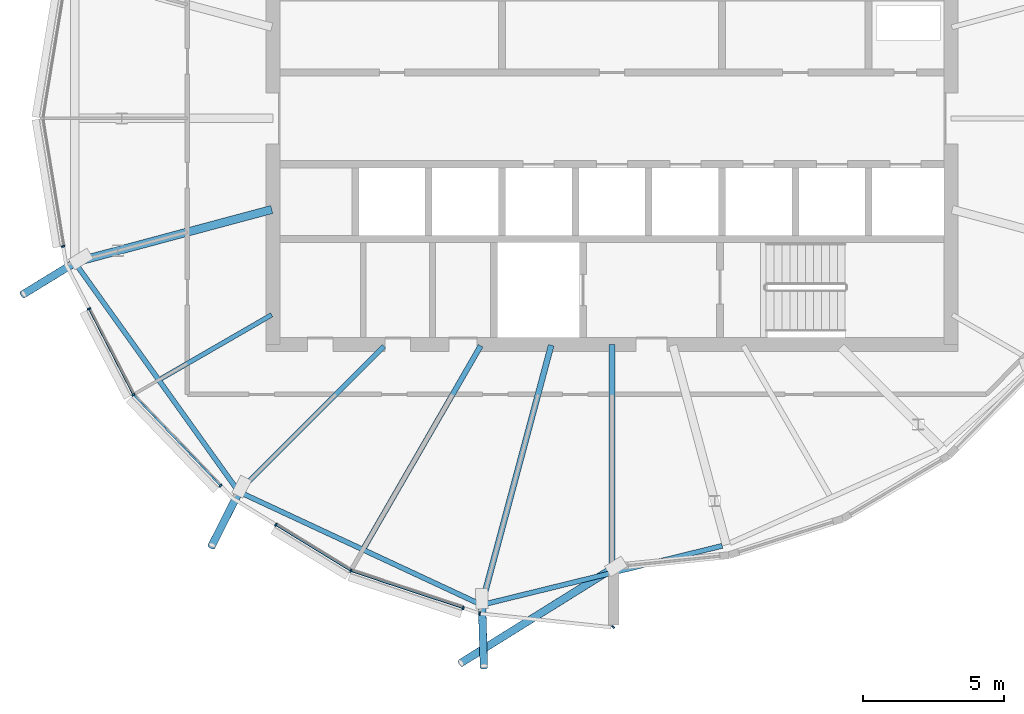
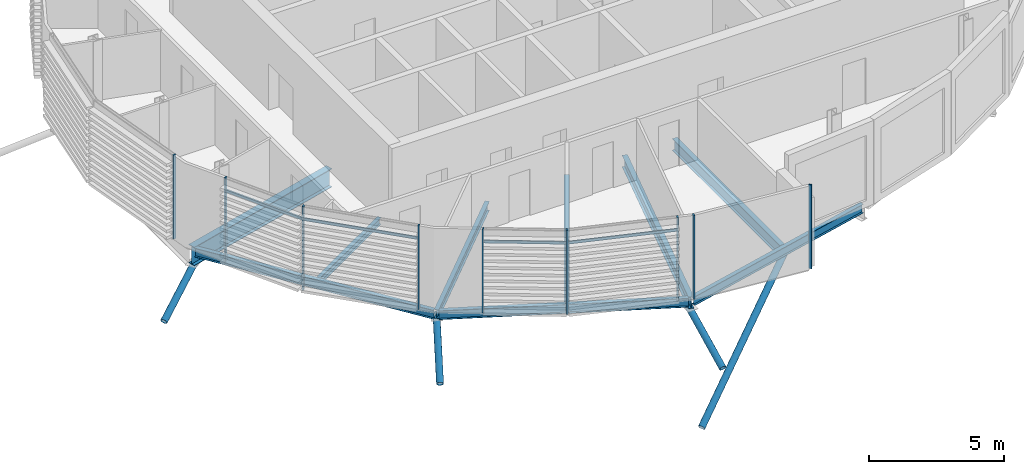
# One storey, part 3 of 36: 17 members, 9 beams, 1 element without a shape of its own.
"""IFC4 building model written with IfcOpenShell, lengths in metres."""

from ifc_helpers import new_model, si_unit, direction, frame, origin, origin_2d, place, context, subcontext, project, spatial, rectangle, hollow_circle, i_section, extrude, clip, halfspace, material, material_profile, profile_set, type_object, element, aggregate, save


model = new_model("IFC4")

# Units and contexts
model_context = context("Model", 3, precision=1e-05, world=origin(), true_north=direction((0.0, 1.0)))
body_context = subcontext(model_context, "Body", "Model", "MODEL_VIEW")
ifc_project = project(units=[si_unit("LENGTHUNIT", "METRE"), si_unit("AREAUNIT", "SQUARE_METRE"), si_unit("VOLUMEUNIT", "CUBIC_METRE"), si_unit("PLANEANGLEUNIT", "RADIAN"), si_unit("MASSUNIT", "GRAM", prefix="KILO")], contexts=[model_context])

# Site, building, storey
site_placement = place(None, origin())
site = spatial("IfcSite", under=ifc_project, at=site_placement, CompositionType="ELEMENT")
building_placement = place(site_placement, origin())
building = spatial("IfcBuilding", under=site, at=building_placement, Name="Rimbun Link Towers", CompositionType="ELEMENT")
storey_placement = place(building_placement, frame((0.0, 0.0, 248.5)))
storey = spatial("IfcBuildingStorey", under=building, at=storey_placement, Name="L61", CompositionType="ELEMENT", Elevation=248.5)

# Curtain wall, members
ifc_material_1 = material(Name="Aluminium 6063-T6 and low-iron glass", Category="aluminium")
curtain_wall_type = type_object("IfcCurtainWallType", Name="CW1-Z4 unitised vision wall (zone 4)", PredefinedType="NOTDEFINED", material=ifc_material_1)
curtain_wall_placement = place(storey_placement, origin())
curtain_wall = element("IfcCurtainWall", 1, at=curtain_wall_placement, inside=storey, type_object=curtain_wall_type, Name="CW1 L61 T1", PredefinedType="NOTDEFINED")
ifc_material_2 = material(Name="Aluminium 6063-T6", Category="aluminium")
ifc_material_profile_1 = material_profile(ifc_material_2, rectangle(XDim=0.1201171875, YDim=0.06005859375, at=origin_2d()), Name="MULLION 60X120")
ifc_profile_set_1 = profile_set([ifc_material_profile_1], Name="Aluminium 6063-T6")
member_type_1 = type_object("IfcMemberType", Name="CW1 mullion 60X120", PredefinedType="MULLION", material=ifc_profile_set_1)
member_1_placement = place(storey_placement, frame((-51.173828125, -4.52880859375, 0.0), z_axis=(0.0, 0.0, 1.0), x_axis=(-0.986747677327, -0.162262199201, 0.0)))
member_1 = element("IfcMember", 2, at=member_1_placement, type_object=member_type_1, Name="CW1 mullion", PredefinedType="MULLION", context=body_context, shape_type="SweptSolid", body=[
    extrude(rectangle(XDim=0.1201171875, YDim=0.06005859375, at=origin_2d()), origin(), (0.0, 0.0, 1.0), 3.800048828125),
])
member_2_placement = place(storey_placement, frame((-48.683837890625, -9.783447265625, 0.0), z_axis=(0.0, 0.0, 1.0), x_axis=(-0.813354276071, -0.581768701115, 0.0)))
member_2 = element("IfcMember", 3, at=member_2_placement, type_object=member_type_1, Name="CW1 mullion", PredefinedType="MULLION", context=body_context, shape_type="SweptSolid", body=[
    extrude(rectangle(XDim=0.1201171875, YDim=0.06005859375, at=origin_2d()), origin(), (0.0, 0.0, 1.0), 3.800048828125),
])
member_3_placement = place(storey_placement, frame((-50.258056640625, -6.742431640625, 0.0), z_axis=(0.0, 0.0, 1.0), x_axis=(-0.888150898734, -0.459551935126, 0.0)))
member_3 = element("IfcMember", 4, at=member_3_placement, type_object=member_type_1, Name="CW1 mullion", PredefinedType="MULLION", context=body_context, shape_type="SweptSolid", body=[
    extrude(rectangle(XDim=0.1201171875, YDim=0.06005859375, at=origin_2d()), origin(), (0.0, 0.0, 1.0), 3.800048828125),
])
member_4_placement = place(storey_placement, frame((-45.6005859375, -13.00048828125, 0.0), z_axis=(0.0, 0.0, 1.0), x_axis=(-0.721858292347, -0.692040898915, 0.0)))
member_4 = element("IfcMember", 5, at=member_4_placement, type_object=member_type_1, Name="CW1 mullion", PredefinedType="MULLION", context=body_context, shape_type="SweptSolid", body=[
    extrude(rectangle(XDim=0.1201171875, YDim=0.06005859375, at=origin_2d()), origin(), (0.0, 0.0, 1.0), 3.800048828125),
])
member_5_placement = place(storey_placement, frame((-40.988525390625, -16.01220703125, 0.0), z_axis=(0.0, 0.0, 1.0), x_axis=(-0.421699968812, -0.906735427953, 0.0)))
member_5 = element("IfcMember", 6, at=member_5_placement, type_object=member_type_1, Name="CW1 mullion", PredefinedType="MULLION", context=body_context, shape_type="SweptSolid", body=[
    extrude(rectangle(XDim=0.1201171875, YDim=0.06005859375, at=origin_2d()), origin(), (0.0, 0.0, 1.0), 3.800048828125),
])
member_6_placement = place(storey_placement, frame((-43.6396484375, -14.385009765625, 0.0), z_axis=(0.0, 0.0, 1.0), x_axis=(-0.523228997113, -0.852192124219, 0.0)))
member_6 = element("IfcMember", 7, at=member_6_placement, type_object=member_type_1, Name="CW1 mullion", PredefinedType="MULLION", context=body_context, shape_type="SweptSolid", body=[
    extrude(rectangle(XDim=0.1201171875, YDim=0.06005859375, at=origin_2d()), origin(), (0.0, 0.0, 1.0), 3.800048828125),
])
member_7_placement = place(storey_placement, frame((-37.016845703125, -17.328857421875, 0.0), z_axis=(0.0, 0.0, 1.0), x_axis=(-0.314569451089, -0.949234460205, 0.0)))
member_7 = element("IfcMember", 8, at=member_7_placement, type_object=member_type_1, Name="CW1 mullion", PredefinedType="MULLION", context=body_context, shape_type="SweptSolid", body=[
    extrude(rectangle(XDim=0.1201171875, YDim=0.06005859375, at=origin_2d()), origin(), (0.0, 0.0, 1.0), 3.800048828125),
])
member_8_placement = place(storey_placement, frame((-31.7099609375, -17.997802734375, 0.0), z_axis=(0.0, 0.0, 1.0), x_axis=(0.669054420529, -0.743213416436, 0.0)))
member_8 = element("IfcMember", 9, at=member_8_placement, type_object=member_type_1, Name="CW1 mullion", PredefinedType="MULLION", context=body_context, shape_type="SweptSolid", body=[
    extrude(rectangle(XDim=0.1201171875, YDim=0.06005859375, at=origin_2d()), origin(), (0.0, 0.0, 1.0), 3.800048828125),
])
member_9_placement = place(storey_placement, frame((-36.434814453125, -17.520263671875, 0.0), z_axis=(0.0, 0.0, 1.0), x_axis=(-0.10473236474, -0.994500443326, 0.0)))
member_9 = element("IfcMember", 10, at=member_9_placement, type_object=member_type_1, Name="CW1 mullion", PredefinedType="MULLION", context=body_context, shape_type="SweptSolid", body=[
    extrude(rectangle(XDim=0.1201171875, YDim=0.06005859375, at=origin_2d()), origin(), (0.0, 0.0, 1.0), 3.800048828125),
])
ifc_material_3 = material(Name="Aluminium 6063-T6", Category="aluminium")
ifc_material_profile_2 = material_profile(ifc_material_3, rectangle(XDim=0.06005859375, YDim=0.1201171875, at=origin_2d()), Name="TRANSOM 60X120")
ifc_profile_set_2 = profile_set([ifc_material_profile_2], Name="Aluminium 6063-T6")
member_type_2 = type_object("IfcMemberType", Name="CW1 transom 60X120", PredefinedType="USERDEFINED", material=ifc_profile_set_2)
member_10_placement = place(storey_placement, frame((-48.700439453125, -9.74853515625, 3.199951171875), z_axis=(-0.459567390883, 0.888142901361, 0.0), x_axis=(-0.888142901361, -0.459567390883, 0.0)))
member_10 = element("IfcMember", 11, at=member_10_placement, type_object=member_type_2, Name="CW1 transom", ObjectType="TRANSOM", PredefinedType="USERDEFINED", context=body_context, shape_type="SweptSolid", body=[
    extrude(rectangle(XDim=0.06005859375, YDim=0.1201171875, at=origin_2d()), origin(), (0.0, 0.0, 1.0), 3.35595703125),
])
member_11_placement = place(storey_placement, frame((-45.619873046875, -12.9775390625, 3.199951171875), z_axis=(-0.692037083084, 0.721861950539, 0.0), x_axis=(-0.721861950539, -0.692037083084, 0.0)))
member_11 = element("IfcMember", 12, at=member_11_placement, type_object=member_type_2, Name="CW1 transom", ObjectType="TRANSOM", PredefinedType="USERDEFINED", context=body_context, shape_type="SweptSolid", body=[
    extrude(rectangle(XDim=0.06005859375, YDim=0.1201171875, at=origin_2d()), origin(), (0.0, 0.0, 1.0), 4.3876953125),
])
member_12_placement = place(storey_placement, frame((-41.019287109375, -15.991455078125, 3.199951171875), z_axis=(-0.852189422972, 0.523233396654, 0.0), x_axis=(-0.523233396654, -0.852189422972, 0.0)))
member_12 = element("IfcMember", 13, at=member_12_placement, type_object=member_type_2, Name="CW1 transom", ObjectType="TRANSOM", PredefinedType="USERDEFINED", context=body_context, shape_type="SweptSolid", body=[
    extrude(rectangle(XDim=0.06005859375, YDim=0.1201171875, at=origin_2d()), origin(), (0.0, 0.0, 1.0), 3.043701171875),
])
member_13_placement = place(storey_placement, frame((-37.044677734375, -17.3173828125, 3.199951171875), z_axis=(-0.949239188988, 0.314555181309, 0.0), x_axis=(-0.314555181309, -0.949239188988, 0.0)))
member_13 = element("IfcMember", 14, at=member_13_placement, type_object=member_type_2, Name="CW1 transom", ObjectType="TRANSOM", PredefinedType="USERDEFINED", context=body_context, shape_type="SweptSolid", body=[
    extrude(rectangle(XDim=0.06005859375, YDim=0.1201171875, at=origin_2d()), origin(), (0.0, 0.0, 1.0), 4.117431640625),
])
aggregate(curtain_wall, [member_1, member_2, member_3, member_4, member_5, member_6, member_7, member_8, member_9, member_10, member_11, member_12, member_13])

# Members
ifc_material_4 = material(Name="Steel S355J2H", Category="steel")
ifc_material_profile_3 = material_profile(ifc_material_4, hollow_circle(Radius=0.136474609375, WallThickness=0.012451171875, at=origin_2d()), Name="CHS 273x12.5")
ifc_profile_set_3 = profile_set([ifc_material_profile_3], Name="Steel S355J2H")
member_type_3 = type_object("IfcMemberType", Name="Floor edge link CHS 273x12.5", PredefinedType="BRACE", material=ifc_profile_set_3)
member_14_placement = place(storey_placement, frame((-50.713623046875, -5.081298828125, -1.10205078125), z_axis=(-0.760825866437, -0.465695657322, -0.451964108875), x_axis=(0.522059191826, -0.852909256738, 0.0)))
element("IfcMember", 15, at=member_14_placement, inside=storey, type_object=member_type_3, Name="Floor edge link T1 L61 13", PredefinedType="BRACE", context=body_context, shape_type="Clipping", body=[
    clip(extrude(hollow_circle(Radius=0.136474609375, WallThickness=0.012451171875, at=origin_2d()), frame((0.0, 0.0, -0.560791015625)), (0.0, 0.0, 1.0), 3.050048828125), halfspace(frame((0.0, 0.0, -0.26416015625), z_axis=(0.0, 0.892036122749, -0.451964108875)), False)),
])
member_15_placement = place(storey_placement, frame((-44.925048828125, -13.175048828125, -0.6630859375), z_axis=(-0.387876907246, -0.76562623297, -0.513193897288), x_axis=(0.89205474546, -0.451927351576, 0.0)))
element("IfcMember", 16, at=member_15_placement, inside=storey, type_object=member_type_3, Name="Floor edge link T1 L61 15", PredefinedType="BRACE", context=body_context, shape_type="Clipping", body=[
    clip(extrude(hollow_circle(Radius=0.136474609375, WallThickness=0.012451171875, at=origin_2d()), frame((0.0, 0.0, -0.47607421875)), (0.0, 0.0, 1.0), 3.055419921875), halfspace(frame((0.0, 0.0, -0.223388671875), z_axis=(0.0, 0.858272697798, -0.513193897288)), False)),
])
member_16_placement = place(storey_placement, frame((-36.35009765625, -17.167724609375, -0.791748046875), z_axis=(0.025823992191, -0.871606860514, -0.489524873865), x_axis=(0.99956137874, 0.029615032199, 0.0)))
element("IfcMember", 17, at=member_16_placement, inside=storey, type_object=member_type_3, Name="Floor edge link T1 L61 17", PredefinedType="BRACE", context=body_context, shape_type="Clipping", body=[
    clip(extrude(hollow_circle(Radius=0.136474609375, WallThickness=0.012451171875, at=origin_2d()), frame((0.0, 0.0, -0.506591796875)), (0.0, 0.0, 1.0), 3.09716796875), halfspace(frame((0.0, 0.0, -0.23828125), z_axis=(0.0, 0.871989333574, -0.489524873865)), False)),
])
member_17_placement = place(storey_placement, frame((-31.75, -15.94091796875, -0.79150390625), z_axis=(-0.72931843564, -0.454107069188, -0.51174347983), x_axis=(0.52856108446, -0.848895270333, 0.0)))
element("IfcMember", 18, at=member_17_placement, inside=storey, type_object=member_type_3, Name="Floor edge link T1 L61 18", PredefinedType="BRACE", context=body_context, shape_type="Clipping", body=[
    clip(extrude(hollow_circle(Radius=0.136474609375, WallThickness=0.012451171875, at=origin_2d()), frame((0.0, 0.0, -0.477783203125)), (0.0, 0.0, 1.0), 7.818603515625), halfspace(frame((0.0, 0.0, -0.2275390625), z_axis=(0.0, 0.859138295533, -0.51174347983)), False)),
])

# Beams
ifc_material_5 = material(Name="Steel S355J2", Category="steel")
ifc_material_profile_4 = material_profile(ifc_material_5, i_section(OverallWidth=0.1650390625, OverallDepth=0.303466796875, WebThickness=0.006103515625, FlangeThickness=0.01025390625, at=origin_2d()), Name="UB 305x165x40")
ifc_profile_set_4 = profile_set([ifc_material_profile_4], Name="Steel S355J2")
beam_type_1 = type_object("IfcBeamType", Name="UB 305x165x40", PredefinedType="BEAM", material=ifc_profile_set_4)
beam_1_placement = place(storey_placement, frame((-43.7919921875, -6.952392578125, -0.291748046875), z_axis=(-0.866024614991, -0.500001366228, 0.0), x_axis=(0.500001366228, -0.866024614991, 0.0)))
element("IfcBeam", 19, at=beam_1_placement, inside=storey, type_object=beam_type_1, Name="Radial beam T1 L61 14", PredefinedType="BEAM", context=body_context, shape_type="SweptSolid", body=[
    extrude(i_section(OverallWidth=0.1650390625, OverallDepth=0.303466796875, WebThickness=0.006103515625, FlangeThickness=0.01025390625, at=origin_2d()), origin(), (0.0, 0.0, 1.0), 4.52099609375),
])
ifc_material_6 = material(Name="Steel S355J2", Category="steel")
ifc_material_profile_5 = material_profile(ifc_material_6, i_section(OverallWidth=0.177978515625, OverallDepth=0.406494140625, WebThickness=0.0078125, FlangeThickness=0.0126953125, at=origin_2d()), Name="UB 406x178x60")
ifc_profile_set_5 = profile_set([ifc_material_profile_5], Name="Steel S355J2")
beam_type_2 = type_object("IfcBeamType", Name="UB 406x178x60", PredefinedType="BEAM", material=ifc_profile_set_5)
beam_2_placement = place(storey_placement, frame((-39.813720703125, -8.063720703125, -0.34326171875), z_axis=(-0.707106781187, -0.707106781187, 0.0), x_axis=(0.707106781187, -0.707106781187, 0.0)))
element("IfcBeam", 20, at=beam_2_placement, inside=storey, type_object=beam_type_2, Name="Radial beam T1 L61 15", PredefinedType="BEAM", context=body_context, shape_type="SweptSolid", body=[
    extrude(i_section(OverallWidth=0.177978515625, OverallDepth=0.406494140625, WebThickness=0.0078125, FlangeThickness=0.0126953125, at=origin_2d()), origin(), (0.0, 0.0, 1.0), 7.2783203125),
])
beam_3_placement = place(storey_placement, frame((-50.67041015625, -5.22216796875, -0.34326171875), z_axis=(0.581515919417, -0.813535024117, 0.0), x_axis=(0.813535024117, 0.581515919417, 0.0)))
element("IfcBeam", 21, at=beam_3_placement, inside=storey, type_object=beam_type_2, Name="Edge beam T1 L61 13-15", PredefinedType="BEAM", context=body_context, shape_type="SweptSolid", body=[
    extrude(i_section(OverallWidth=0.177978515625, OverallDepth=0.406494140625, WebThickness=0.0078125, FlangeThickness=0.0126953125, at=origin_2d()), origin(), (0.0, 0.0, 1.0), 9.72802734375),
])
beam_4_placement = place(storey_placement, frame((-44.87353515625, -13.250732421875, -0.34326171875), z_axis=(0.906432957626, -0.422349728696, 0.0), x_axis=(0.422349728696, 0.906432957626, 0.0)))
element("IfcBeam", 22, at=beam_4_placement, inside=storey, type_object=beam_type_2, Name="Edge beam T1 L61 15-17", PredefinedType="BEAM", context=body_context, shape_type="SweptSolid", body=[
    extrude(i_section(OverallWidth=0.177978515625, OverallDepth=0.406494140625, WebThickness=0.0078125, FlangeThickness=0.0126953125, at=origin_2d()), origin(), (0.0, 0.0, 1.0), 9.28173828125),
])
beam_5_placement = place(storey_placement, frame((-36.24609375, -17.1875, -0.34326171875), z_axis=(0.971158679858, 0.238434096843, 0.0), x_axis=(-0.238434096843, 0.971158679858, 0.0)))
element("IfcBeam", 23, at=beam_5_placement, inside=storey, type_object=beam_type_2, Name="Edge beam T1 L61 17-19", PredefinedType="BEAM", context=body_context, shape_type="SweptSolid", body=[
    extrude(i_section(OverallWidth=0.177978515625, OverallDepth=0.406494140625, WebThickness=0.0078125, FlangeThickness=0.0126953125, at=origin_2d()), origin(), (0.0, 0.0, 1.0), 8.64599609375),
])
ifc_material_7 = material(Name="Steel S355J2", Category="steel")
ifc_material_profile_6 = material_profile(ifc_material_7, i_section(OverallWidth=0.18994140625, OverallDepth=0.453369140625, WebThickness=0.008544921875, FlangeThickness=0.0126953125, at=origin_2d()), Name="UB 457x191x67")
ifc_profile_set_6 = profile_set([ifc_material_profile_6], Name="Steel S355J2")
beam_type_3 = type_object("IfcBeamType", Name="UB 457x191x67", PredefinedType="BEAM", material=ifc_profile_set_6)
beam_6_placement = place(storey_placement, frame((-36.396728515625, -8.04833984375, -0.36669921875), z_axis=(-0.499996112969, -0.866027647951, 0.0), x_axis=(0.866027647951, -0.499996112969, 0.0)))
element("IfcBeam", 24, at=beam_6_placement, inside=storey, type_object=beam_type_3, Name="Radial beam T1 L61 16", PredefinedType="BEAM", context=body_context, shape_type="SweptSolid", body=[
    extrude(i_section(OverallWidth=0.18994140625, OverallDepth=0.453369140625, WebThickness=0.008544921875, FlangeThickness=0.0126953125, at=origin_2d()), origin(), (0.0, 0.0, 1.0), 8.2373046875),
])
ifc_material_8 = material(Name="Steel S355J2", Category="steel")
ifc_material_profile_7 = material_profile(ifc_material_8, i_section(OverallWidth=0.209228515625, OverallDepth=0.533203125, WebThickness=0.010009765625, FlangeThickness=0.015625, at=origin_2d()), Name="UB 533x210x92")
ifc_profile_set_7 = profile_set([ifc_material_profile_7], Name="Steel S355J2")
beam_type_4 = type_object("IfcBeamType", Name="UB 533x210x92", PredefinedType="BEAM", material=ifc_profile_set_7)
beam_7_placement = place(storey_placement, frame((-33.901123046875, -8.028076171875, -0.406494140625), z_axis=(-0.258819047307, -0.965925825698, 0.0), x_axis=(0.965925825698, -0.258819047307, 0.0)))
element("IfcBeam", 25, at=beam_7_placement, inside=storey, type_object=beam_type_4, Name="Radial beam T1 L61 17", PredefinedType="BEAM", context=body_context, shape_type="SweptSolid", body=[
    extrude(i_section(OverallWidth=0.209228515625, OverallDepth=0.533203125, WebThickness=0.010009765625, FlangeThickness=0.015625, at=origin_2d()), origin(), (0.0, 0.0, 1.0), 9.51220703125),
])
beam_8_placement = place(storey_placement, frame((-31.75, -8.0009765625, -0.406494140625), z_axis=(0.0, -1.0, 0.0), x_axis=(1.0, 0.0, 0.0)))
element("IfcBeam", 26, at=beam_8_placement, inside=storey, type_object=beam_type_4, Name="Radial beam T1 L61 18", PredefinedType="BEAM", context=body_context, shape_type="SweptSolid", body=[
    extrude(i_section(OverallWidth=0.209228515625, OverallDepth=0.533203125, WebThickness=0.010009765625, FlangeThickness=0.015625, at=origin_2d()), origin(), (0.0, 0.0, 1.0), 7.989990234375),
])
ifc_material_9 = material(Name="Steel S355J2", Category="steel")
ifc_material_profile_8 = material_profile(ifc_material_9, i_section(OverallWidth=0.29248046875, OverallDepth=0.8408203125, WebThickness=0.0126953125, FlangeThickness=0.021728515625, at=origin_2d()), Name="UB 838x292x194")
ifc_profile_set_8 = profile_set([ifc_material_profile_8], Name="Steel S355J2")
beam_type_5 = type_object("IfcBeamType", Name="UB 838x292x194", PredefinedType="BEAM", material=ifc_profile_set_8)
beam_9_placement = place(storey_placement, frame((-43.788818359375, -3.225830078125, -0.560302734375), z_axis=(-0.965927219891, -0.258813844052, 0.0), x_axis=(0.258813844052, -0.965927219891, 0.0)))
element("IfcBeam", 27, at=beam_9_placement, inside=storey, type_object=beam_type_5, Name="Radial beam T1 L61 13", PredefinedType="BEAM", context=body_context, shape_type="SweptSolid", body=[
    extrude(i_section(OverallWidth=0.29248046875, OverallDepth=0.8408203125, WebThickness=0.0126953125, FlangeThickness=0.021728515625, at=origin_2d()), origin(), (0.0, 0.0, 1.0), 7.21923828125),
])

save(model, "model.ifc")
